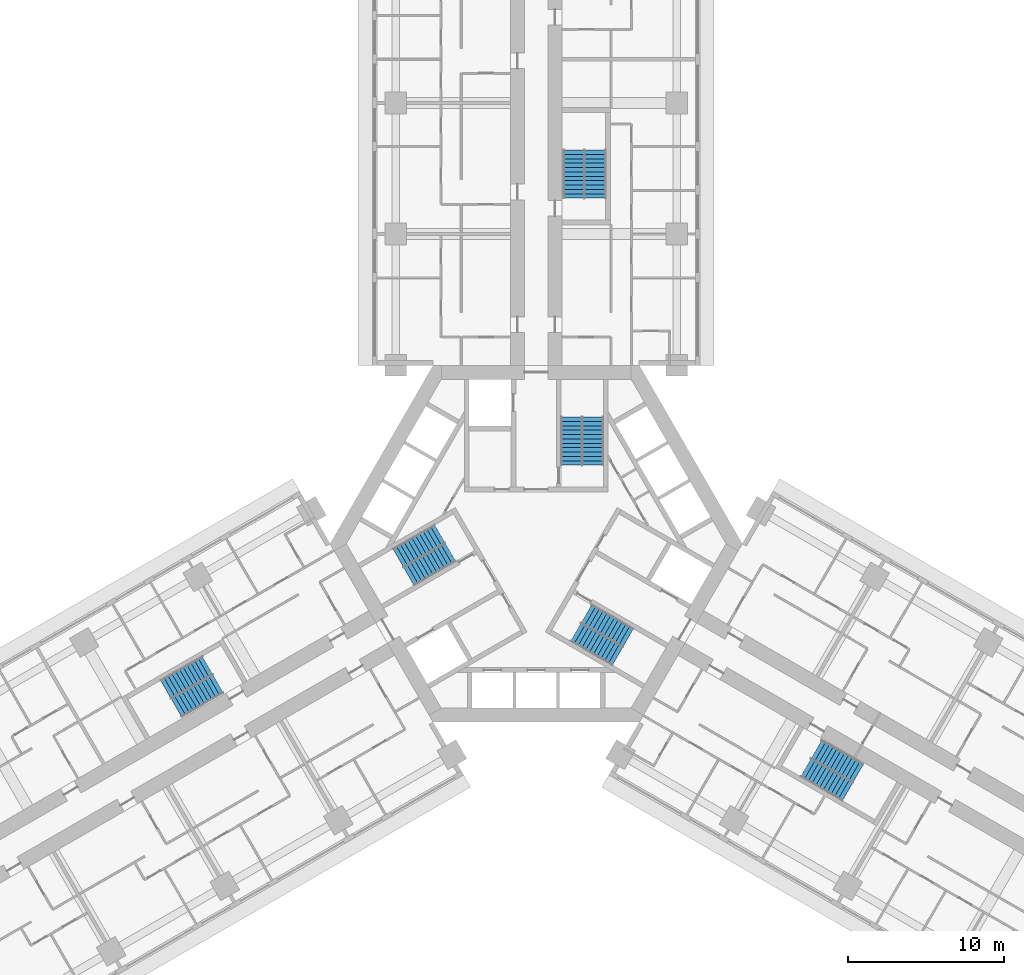
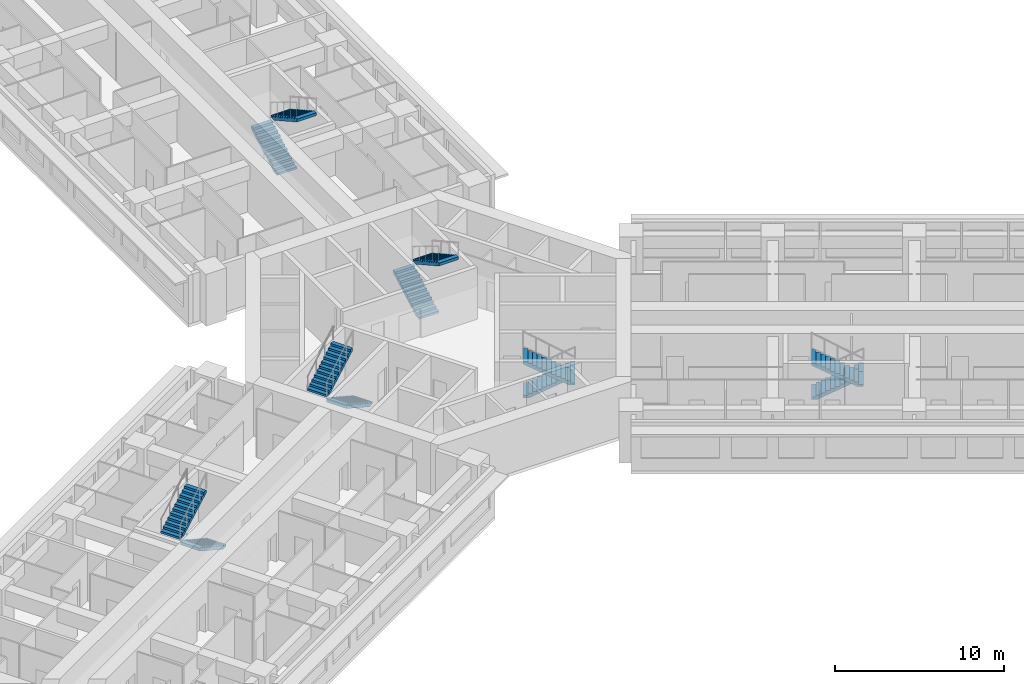
# One storey, part 14 of 15: 12 stair flights, 6 elements without a shape of their own.
"""IFC4 building model written with IfcOpenShell, lengths in metres."""

from ifc_helpers import new_model, si_unit, direction, frame, origin, place, context, subcontext, project, spatial, polyline, outline, extrude, material, type_object, element, aggregate, save


model = new_model("IFC4")

# Units and contexts
model_context = context("Model", 3, precision=1e-05, world=origin(), true_north=direction((0.0, 1.0)))
body_context = subcontext(model_context, "Body", "Model", "MODEL_VIEW")
ifc_project = project(units=[si_unit("LENGTHUNIT", "METRE"), si_unit("AREAUNIT", "SQUARE_METRE"), si_unit("VOLUMEUNIT", "CUBIC_METRE"), si_unit("PLANEANGLEUNIT", "RADIAN"), si_unit("MASSUNIT", "GRAM", prefix="KILO")], contexts=[model_context])

# Site, building, storey
site_placement = place(None, origin())
site = spatial("IfcSite", under=ifc_project, at=site_placement, CompositionType="ELEMENT")
building_placement = place(site_placement, origin())
building = spatial("IfcBuilding", under=site, at=building_placement, Name="Impinga Residences", CompositionType="ELEMENT")
storey_placement = place(building_placement, frame((0.0, 0.0, 86.0)))
storey = spatial("IfcBuildingStorey", under=building, at=storey_placement, Name="L21", CompositionType="ELEMENT", Elevation=86.0)

# Stair, stair flights
ifc_material = material(Name="Concrete C40/50", Category="concrete")
stair_type_1 = type_object("IfcStairType", Name="STR core stair 3750 storey, 24 risers", PredefinedType="HALF_TURN_STAIR", material=ifc_material)
stair_1_placement = place(storey_placement, origin())
stair_1 = element("IfcStair", 1, at=stair_1_placement, inside=storey, type_object=stair_type_1, Name="Stair ST1 L21", PredefinedType="HALF_TURN_STAIR")
stair_flight_type = type_object("IfcStairFlightType", Name="SF 12 risers of 156", PredefinedType="STRAIGHT", material=ifc_material)
stair_flight_1_placement = place(storey_placement, frame((2.27490234375, 5.030029296875, 0.0), z_axis=(0.0, 0.0, 1.0), x_axis=(0.0, 1.0, 0.0)))
stair_flight_1 = element("IfcStairFlight", 2, at=stair_flight_1_placement, type_object=stair_flight_type, Name="ST1 flight 1", NumberOfRisers=12, NumberOfTreads=11, PredefinedType="STRAIGHT", RiserHeight=0.15625, TreadLength=0.28, context=body_context, shape_type="SweptSolid", body=[
    extrude(outline(polyline([(0.0, 0.0), (0.0, 0.15625), (0.280029296875, 0.15625), (0.280029296875, 0.3125), (0.56005859375, 0.3125), (0.56005859375, 0.46875), (0.840087890625, 0.46875), (0.840087890625, 0.625), (1.1201171875, 0.625), (1.1201171875, 0.78125), (1.39990234375, 0.78125), (1.39990234375, 0.9375), (1.679931640625, 0.9375), (1.679931640625, 1.09375), (1.9599609375, 1.09375), (1.9599609375, 1.25), (2.239990234375, 1.25), (2.239990234375, 1.40625), (2.52001953125, 1.40625), (2.52001953125, 1.5625), (2.800048828125, 1.5625), (2.800048828125, 1.71875), (3.080078125, 1.71875), (3.080078125, 1.875), (3.080078125, 1.5126953125), (0.369140625, 0.0), (0.0, 0.0)])), frame((0.0, 0.675048828125, 0.0), z_axis=(0.0, -1.0, 0.0), x_axis=(1.0, 0.0, 0.0)), (0.0, 0.0, 1.0), 1.35009765625),
])
stair_flight_2_placement = place(storey_placement, frame((3.625, 8.110107421875, 1.875), z_axis=(0.0, 0.0, 1.0), x_axis=(0.0, -1.0, 0.0)))
stair_flight_2 = element("IfcStairFlight", 3, at=stair_flight_2_placement, type_object=stair_flight_type, Name="ST1 flight 2", NumberOfRisers=12, NumberOfTreads=11, PredefinedType="STRAIGHT", RiserHeight=0.15625, TreadLength=0.28, context=body_context, shape_type="SweptSolid", body=[
    extrude(outline(polyline([(0.0, 0.0), (0.0, 0.15625), (0.280029296875, 0.15625), (0.280029296875, 0.3125), (0.56005859375, 0.3125), (0.56005859375, 0.46875), (0.840087890625, 0.46875), (0.840087890625, 0.625), (1.1201171875, 0.625), (1.1201171875, 0.78125), (1.39990234375, 0.78125), (1.39990234375, 0.9375), (1.679931640625, 0.9375), (1.679931640625, 1.09375), (1.9599609375, 1.09375), (1.9599609375, 1.25), (2.239990234375, 1.25), (2.239990234375, 1.40625), (2.52001953125, 1.40625), (2.52001953125, 1.5625), (2.800048828125, 1.5625), (2.800048828125, 1.71875), (3.080078125, 1.71875), (3.080078125, 1.875), (3.080078125, 1.5126953125), (0.369140625, 0.0), (0.0, 0.0)])), frame((0.0, 0.675048828125, 0.0), z_axis=(0.0, -1.0, 0.0), x_axis=(1.0, 0.0, 0.0)), (0.0, 0.0, 1.0), 1.35009765625),
])
aggregate(stair_1, [stair_flight_1, stair_flight_2])

stair_2_placement = place(storey_placement, origin())
stair_2 = element("IfcStair", 4, at=stair_2_placement, inside=storey, type_object=stair_type_1, Name="Stair ST2 L21", PredefinedType="HALF_TURN_STAIR")
stair_flight_3_placement = place(storey_placement, frame((-5.49365234375, -0.544677734375, 0.0), z_axis=(0.0, 0.0, 1.0), x_axis=(-0.866025403784, -0.5, 0.0)))
stair_flight_3 = element("IfcStairFlight", 5, at=stair_flight_3_placement, type_object=stair_flight_type, Name="ST2 flight 1", NumberOfRisers=12, NumberOfTreads=11, PredefinedType="STRAIGHT", RiserHeight=0.15625, TreadLength=0.28, context=body_context, shape_type="SweptSolid", body=[
    extrude(outline(polyline([(0.0, 0.0), (0.0, 0.15625), (0.280029296875, 0.15625), (0.280029296875, 0.3125), (0.56005859375, 0.3125), (0.56005859375, 0.46875), (0.840087890625, 0.46875), (0.840087890625, 0.625), (1.1201171875, 0.625), (1.1201171875, 0.78125), (1.39990234375, 0.78125), (1.39990234375, 0.9375), (1.679931640625, 0.9375), (1.679931640625, 1.09375), (1.9599609375, 1.09375), (1.9599609375, 1.25), (2.239990234375, 1.25), (2.239990234375, 1.40625), (2.52001953125, 1.40625), (2.52001953125, 1.5625), (2.800048828125, 1.5625), (2.800048828125, 1.71875), (3.080078125, 1.71875), (3.080078125, 1.875), (3.080078125, 1.5126953125), (0.369140625, 0.0), (0.0, 0.0)])), frame((0.0, 0.675048828125, 0.0), z_axis=(0.0, -1.0, 0.0), x_axis=(1.0, 0.0, 0.0)), (0.0, 0.0, 1.0), 1.35009765625),
])
stair_flight_4_placement = place(storey_placement, frame((-8.8359375, -0.915771484375, 1.875), z_axis=(0.0, 0.0, 1.0), x_axis=(0.866025403784, 0.5, 0.0)))
stair_flight_4 = element("IfcStairFlight", 6, at=stair_flight_4_placement, type_object=stair_flight_type, Name="ST2 flight 2", NumberOfRisers=12, NumberOfTreads=11, PredefinedType="STRAIGHT", RiserHeight=0.15625, TreadLength=0.28, context=body_context, shape_type="SweptSolid", body=[
    extrude(outline(polyline([(0.0, 0.0), (0.0, 0.15625), (0.280029296875, 0.15625), (0.280029296875, 0.3125), (0.56005859375, 0.3125), (0.56005859375, 0.46875), (0.840087890625, 0.46875), (0.840087890625, 0.625), (1.1201171875, 0.625), (1.1201171875, 0.78125), (1.39990234375, 0.78125), (1.39990234375, 0.9375), (1.679931640625, 0.9375), (1.679931640625, 1.09375), (1.9599609375, 1.09375), (1.9599609375, 1.25), (2.239990234375, 1.25), (2.239990234375, 1.40625), (2.52001953125, 1.40625), (2.52001953125, 1.5625), (2.800048828125, 1.5625), (2.800048828125, 1.71875), (3.080078125, 1.71875), (3.080078125, 1.875), (3.080078125, 1.5126953125), (0.369140625, 0.0), (0.0, 0.0)])), frame((0.0, 0.675048828125, 0.0), z_axis=(0.0, -1.0, 0.0), x_axis=(1.0, 0.0, 0.0)), (0.0, 0.0, 1.0), 1.35009765625),
])
aggregate(stair_2, [stair_flight_3, stair_flight_4])

stair_3_placement = place(storey_placement, origin())
stair_3 = element("IfcStair", 7, at=stair_3_placement, inside=storey, type_object=stair_type_1, Name="Stair ST3 L21", PredefinedType="HALF_TURN_STAIR")
stair_flight_5_placement = place(storey_placement, frame((3.218505859375, -4.485107421875, 0.0), z_axis=(0.0, 0.0, 1.0), x_axis=(0.866025403784, -0.5, 0.0)))
stair_flight_5 = element("IfcStairFlight", 8, at=stair_flight_5_placement, type_object=stair_flight_type, Name="ST3 flight 1", NumberOfRisers=12, NumberOfTreads=11, PredefinedType="STRAIGHT", RiserHeight=0.15625, TreadLength=0.28, context=body_context, shape_type="SweptSolid", body=[
    extrude(outline(polyline([(0.0, 0.0), (0.0, 0.15625), (0.280029296875, 0.15625), (0.280029296875, 0.3125), (0.56005859375, 0.3125), (0.56005859375, 0.46875), (0.840087890625, 0.46875), (0.840087890625, 0.625), (1.1201171875, 0.625), (1.1201171875, 0.78125), (1.39990234375, 0.78125), (1.39990234375, 0.9375), (1.679931640625, 0.9375), (1.679931640625, 1.09375), (1.9599609375, 1.09375), (1.9599609375, 1.25), (2.239990234375, 1.25), (2.239990234375, 1.40625), (2.52001953125, 1.40625), (2.52001953125, 1.5625), (2.800048828125, 1.5625), (2.800048828125, 1.71875), (3.080078125, 1.71875), (3.080078125, 1.875), (3.080078125, 1.5126953125), (0.369140625, 0.0), (0.0, 0.0)])), frame((0.0, 0.675048828125, 0.0), z_axis=(0.0, -1.0, 0.0), x_axis=(1.0, 0.0, 0.0)), (0.0, 0.0, 1.0), 1.35009765625),
])
stair_flight_6_placement = place(storey_placement, frame((5.2109375, -7.1943359375, 1.875), z_axis=(0.0, 0.0, 1.0), x_axis=(-0.866025403784, 0.5, 0.0)))
stair_flight_6 = element("IfcStairFlight", 9, at=stair_flight_6_placement, type_object=stair_flight_type, Name="ST3 flight 2", NumberOfRisers=12, NumberOfTreads=11, PredefinedType="STRAIGHT", RiserHeight=0.15625, TreadLength=0.28, context=body_context, shape_type="SweptSolid", body=[
    extrude(outline(polyline([(0.0, 0.0), (0.0, 0.15625), (0.280029296875, 0.15625), (0.280029296875, 0.3125), (0.56005859375, 0.3125), (0.56005859375, 0.46875), (0.840087890625, 0.46875), (0.840087890625, 0.625), (1.1201171875, 0.625), (1.1201171875, 0.78125), (1.39990234375, 0.78125), (1.39990234375, 0.9375), (1.679931640625, 0.9375), (1.679931640625, 1.09375), (1.9599609375, 1.09375), (1.9599609375, 1.25), (2.239990234375, 1.25), (2.239990234375, 1.40625), (2.52001953125, 1.40625), (2.52001953125, 1.5625), (2.800048828125, 1.5625), (2.800048828125, 1.71875), (3.080078125, 1.71875), (3.080078125, 1.875), (3.080078125, 1.5126953125), (0.369140625, 0.0), (0.0, 0.0)])), frame((0.0, 0.675048828125, 0.0), z_axis=(0.0, -1.0, 0.0), x_axis=(1.0, 0.0, 0.0)), (0.0, 0.0, 1.0), 1.35009765625),
])
aggregate(stair_3, [stair_flight_5, stair_flight_6])

stair_type_2 = type_object("IfcStairType", Name="STR wing stair 3750 storey, 24 risers", PredefinedType="HALF_TURN_STAIR", material=ifc_material)
stair_4_placement = place(storey_placement, origin())
stair_4 = element("IfcStair", 10, at=stair_4_placement, inside=storey, type_object=stair_type_2, Name="Stair WS1 L21", PredefinedType="HALF_TURN_STAIR")
stair_flight_7_placement = place(storey_placement, frame((2.425048828125, 22.131591796875, 0.0), z_axis=(0.0, 0.0, 1.0), x_axis=(0.0, 1.0, 0.0)))
stair_flight_7 = element("IfcStairFlight", 11, at=stair_flight_7_placement, type_object=stair_flight_type, Name="WS1 flight 1", NumberOfRisers=12, NumberOfTreads=11, PredefinedType="STRAIGHT", RiserHeight=0.15625, TreadLength=0.28, context=body_context, shape_type="SweptSolid", body=[
    extrude(outline(polyline([(0.0, 0.0), (0.0, 0.15625), (0.280029296875, 0.15625), (0.280029296875, 0.3125), (0.56005859375, 0.3125), (0.56005859375, 0.46875), (0.840087890625, 0.46875), (0.840087890625, 0.625), (1.1201171875, 0.625), (1.1201171875, 0.78125), (1.39990234375, 0.78125), (1.39990234375, 0.9375), (1.679931640625, 0.9375), (1.679931640625, 1.09375), (1.9599609375, 1.09375), (1.9599609375, 1.25), (2.239990234375, 1.25), (2.239990234375, 1.40625), (2.52001953125, 1.40625), (2.52001953125, 1.5625), (2.800048828125, 1.5625), (2.800048828125, 1.71875), (3.080078125, 1.71875), (3.080078125, 1.875), (3.080078125, 1.5126953125), (0.369140625, 0.0), (0.0, 0.0)])), frame((0.0, 0.675048828125, 0.0), z_axis=(0.0, -1.0, 0.0), x_axis=(1.0, 0.0, 0.0)), (0.0, 0.0, 1.0), 1.35009765625),
])
stair_flight_8_placement = place(storey_placement, frame((3.77490234375, 25.21142578125, 1.875), z_axis=(0.0, 0.0, 1.0), x_axis=(0.0, -1.0, 0.0)))
stair_flight_8 = element("IfcStairFlight", 12, at=stair_flight_8_placement, type_object=stair_flight_type, Name="WS1 flight 2", NumberOfRisers=12, NumberOfTreads=11, PredefinedType="STRAIGHT", RiserHeight=0.15625, TreadLength=0.28, context=body_context, shape_type="SweptSolid", body=[
    extrude(outline(polyline([(0.0, 0.0), (0.0, 0.15625), (0.280029296875, 0.15625), (0.280029296875, 0.3125), (0.56005859375, 0.3125), (0.56005859375, 0.46875), (0.840087890625, 0.46875), (0.840087890625, 0.625), (1.1201171875, 0.625), (1.1201171875, 0.78125), (1.39990234375, 0.78125), (1.39990234375, 0.9375), (1.679931640625, 0.9375), (1.679931640625, 1.09375), (1.9599609375, 1.09375), (1.9599609375, 1.25), (2.239990234375, 1.25), (2.239990234375, 1.40625), (2.52001953125, 1.40625), (2.52001953125, 1.5625), (2.800048828125, 1.5625), (2.800048828125, 1.71875), (3.080078125, 1.71875), (3.080078125, 1.875), (3.080078125, 1.5126953125), (0.369140625, 0.0), (0.0, 0.0)])), frame((0.0, 0.675048828125, 0.0), z_axis=(0.0, -1.0, 0.0), x_axis=(1.0, 0.0, 0.0)), (0.0, 0.0, 1.0), 1.35009765625),
])
aggregate(stair_4, [stair_flight_7, stair_flight_8])

stair_5_placement = place(storey_placement, origin())
stair_5 = element("IfcStair", 13, at=stair_5_placement, inside=storey, type_object=stair_type_2, Name="Stair WS2 L21", PredefinedType="HALF_TURN_STAIR")
stair_flight_9_placement = place(storey_placement, frame((-20.37890625, -8.965576171875, 0.0), z_axis=(0.0, 0.0, 1.0), x_axis=(-0.866025403784, -0.5, 0.0)))
stair_flight_9 = element("IfcStairFlight", 14, at=stair_flight_9_placement, type_object=stair_flight_type, Name="WS2 flight 1", NumberOfRisers=12, NumberOfTreads=11, PredefinedType="STRAIGHT", RiserHeight=0.15625, TreadLength=0.28, context=body_context, shape_type="SweptSolid", body=[
    extrude(outline(polyline([(0.0, 0.0), (0.0, 0.15625), (0.280029296875, 0.15625), (0.280029296875, 0.3125), (0.56005859375, 0.3125), (0.56005859375, 0.46875), (0.840087890625, 0.46875), (0.840087890625, 0.625), (1.1201171875, 0.625), (1.1201171875, 0.78125), (1.39990234375, 0.78125), (1.39990234375, 0.9375), (1.679931640625, 0.9375), (1.679931640625, 1.09375), (1.9599609375, 1.09375), (1.9599609375, 1.25), (2.239990234375, 1.25), (2.239990234375, 1.40625), (2.52001953125, 1.40625), (2.52001953125, 1.5625), (2.800048828125, 1.5625), (2.800048828125, 1.71875), (3.080078125, 1.71875), (3.080078125, 1.875), (3.080078125, 1.5126953125), (0.369140625, 0.0), (0.0, 0.0)])), frame((0.0, 0.675048828125, 0.0), z_axis=(0.0, -1.0, 0.0), x_axis=(1.0, 0.0, 0.0)), (0.0, 0.0, 1.0), 1.35009765625),
])
stair_flight_10_placement = place(storey_placement, frame((-23.721435546875, -9.33642578125, 1.875), z_axis=(0.0, 0.0, 1.0), x_axis=(0.866025403784, 0.5, 0.0)))
stair_flight_10 = element("IfcStairFlight", 15, at=stair_flight_10_placement, type_object=stair_flight_type, Name="WS2 flight 2", NumberOfRisers=12, NumberOfTreads=11, PredefinedType="STRAIGHT", RiserHeight=0.15625, TreadLength=0.28, context=body_context, shape_type="SweptSolid", body=[
    extrude(outline(polyline([(0.0, 0.0), (0.0, 0.15625), (0.280029296875, 0.15625), (0.280029296875, 0.3125), (0.56005859375, 0.3125), (0.56005859375, 0.46875), (0.840087890625, 0.46875), (0.840087890625, 0.625), (1.1201171875, 0.625), (1.1201171875, 0.78125), (1.39990234375, 0.78125), (1.39990234375, 0.9375), (1.679931640625, 0.9375), (1.679931640625, 1.09375), (1.9599609375, 1.09375), (1.9599609375, 1.25), (2.239990234375, 1.25), (2.239990234375, 1.40625), (2.52001953125, 1.40625), (2.52001953125, 1.5625), (2.800048828125, 1.5625), (2.800048828125, 1.71875), (3.080078125, 1.71875), (3.080078125, 1.875), (3.080078125, 1.5126953125), (0.369140625, 0.0), (0.0, 0.0)])), frame((0.0, 0.675048828125, 0.0), z_axis=(0.0, -1.0, 0.0), x_axis=(1.0, 0.0, 0.0)), (0.0, 0.0, 1.0), 1.35009765625),
])
aggregate(stair_5, [stair_flight_9, stair_flight_10])

stair_6_placement = place(storey_placement, origin())
stair_6 = element("IfcStair", 16, at=stair_6_placement, inside=storey, type_object=stair_type_2, Name="Stair WS3 L21", PredefinedType="HALF_TURN_STAIR")
stair_flight_11_placement = place(storey_placement, frame((17.953857421875, -13.165771484375, 0.0), z_axis=(0.0, 0.0, 1.0), x_axis=(0.866025403784, -0.5, 0.0)))
stair_flight_11 = element("IfcStairFlight", 17, at=stair_flight_11_placement, type_object=stair_flight_type, Name="WS3 flight 1", NumberOfRisers=12, NumberOfTreads=11, PredefinedType="STRAIGHT", RiserHeight=0.15625, TreadLength=0.28, context=body_context, shape_type="SweptSolid", body=[
    extrude(outline(polyline([(0.0, 0.0), (0.0, 0.15625), (0.280029296875, 0.15625), (0.280029296875, 0.3125), (0.56005859375, 0.3125), (0.56005859375, 0.46875), (0.840087890625, 0.46875), (0.840087890625, 0.625), (1.1201171875, 0.625), (1.1201171875, 0.78125), (1.39990234375, 0.78125), (1.39990234375, 0.9375), (1.679931640625, 0.9375), (1.679931640625, 1.09375), (1.9599609375, 1.09375), (1.9599609375, 1.25), (2.239990234375, 1.25), (2.239990234375, 1.40625), (2.52001953125, 1.40625), (2.52001953125, 1.5625), (2.800048828125, 1.5625), (2.800048828125, 1.71875), (3.080078125, 1.71875), (3.080078125, 1.875), (3.080078125, 1.5126953125), (0.369140625, 0.0), (0.0, 0.0)])), frame((0.0, 0.675048828125, 0.0), z_axis=(0.0, -1.0, 0.0), x_axis=(1.0, 0.0, 0.0)), (0.0, 0.0, 1.0), 1.35009765625),
])
stair_flight_12_placement = place(storey_placement, frame((19.9462890625, -15.875, 1.875), z_axis=(0.0, 0.0, 1.0), x_axis=(-0.866025403784, 0.5, 0.0)))
stair_flight_12 = element("IfcStairFlight", 18, at=stair_flight_12_placement, type_object=stair_flight_type, Name="WS3 flight 2", NumberOfRisers=12, NumberOfTreads=11, PredefinedType="STRAIGHT", RiserHeight=0.15625, TreadLength=0.28, context=body_context, shape_type="SweptSolid", body=[
    extrude(outline(polyline([(0.0, 0.0), (0.0, 0.15625), (0.280029296875, 0.15625), (0.280029296875, 0.3125), (0.56005859375, 0.3125), (0.56005859375, 0.46875), (0.840087890625, 0.46875), (0.840087890625, 0.625), (1.1201171875, 0.625), (1.1201171875, 0.78125), (1.39990234375, 0.78125), (1.39990234375, 0.9375), (1.679931640625, 0.9375), (1.679931640625, 1.09375), (1.9599609375, 1.09375), (1.9599609375, 1.25), (2.239990234375, 1.25), (2.239990234375, 1.40625), (2.52001953125, 1.40625), (2.52001953125, 1.5625), (2.800048828125, 1.5625), (2.800048828125, 1.71875), (3.080078125, 1.71875), (3.080078125, 1.875), (3.080078125, 1.5126953125), (0.369140625, 0.0), (0.0, 0.0)])), frame((0.0, 0.675048828125, 0.0), z_axis=(0.0, -1.0, 0.0), x_axis=(1.0, 0.0, 0.0)), (0.0, 0.0, 1.0), 1.35009765625),
])
aggregate(stair_6, [stair_flight_11, stair_flight_12])

save(model, "model.ifc")
